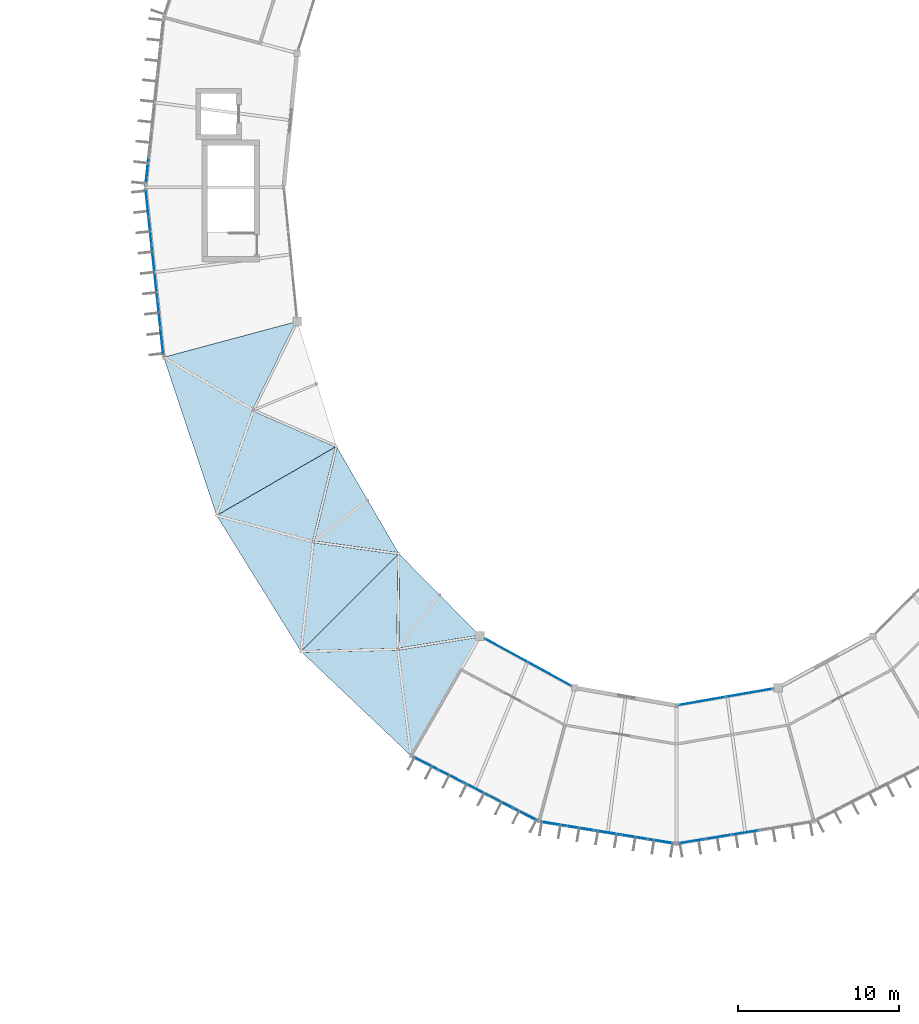
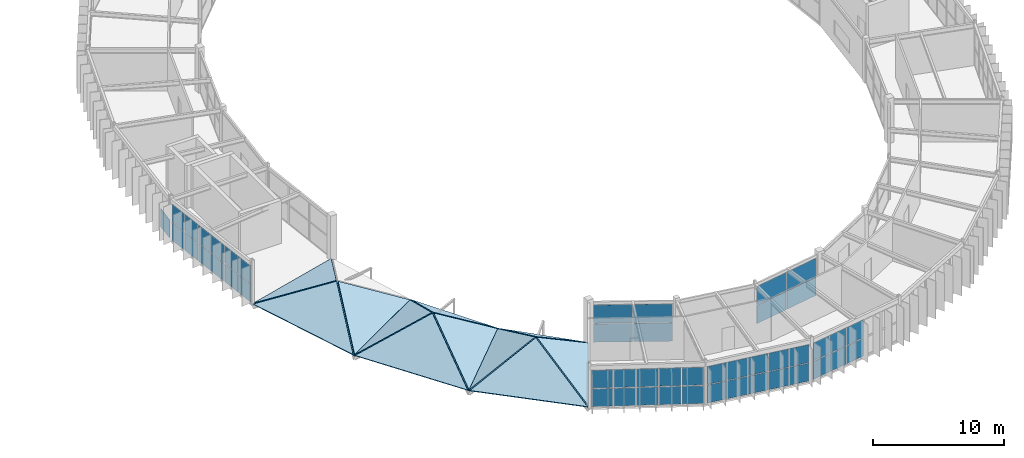
# One storey, part 79 of 106: 47 plates, 11 slabs, 7 elements without a shape of their own.
"""IFC4 building model written with IfcOpenShell, lengths in metres."""

import ifcopenshell
import ifcopenshell.guid

model = None  # the IFC model being written
_history = None  # IfcOwnerHistory: only IFC2X3 demands one
_inside = {}  # id of a spatial element -> (the spatial element, [elements in it])
_under = {}  # id of a project, library or spatial element -> (it, [spatial elements below it])
_declared = {}  # id of a project -> (the project, [libraries it declares])
_typed = {}  # id of a type object -> (the type object, [elements of that type])
_made_of = {}  # id of a material, layer set ... -> (it, [elements and type objects made of it])


def new_model(schema):
    """Start an empty IFC model of exactly this schema.

    Asked for "IFC4X3", IfcOpenShell would pick the latest addendum, in which some entities
    have other attributes; the version numbers below select the first issue.
    IFC2X3 requires an IfcOwnerHistory on every rooted entity: one is made here for all.
    """
    global model, _history
    if schema == "IFC4X3":
        model = ifcopenshell.file(schema_version=(4, 3, 0, 0))
    else:
        model = ifcopenshell.file(schema=schema)
    _inside.clear()
    _under.clear()
    _declared.clear()
    _typed.clear()
    _made_of.clear()
    _history = None
    if model.schema == "IFC2X3":
        org = make("IfcOrganization", Name="unknown")
        user = make(
            "IfcPersonAndOrganization",
            ThePerson=make("IfcPerson", FamilyName="unknown"),
            TheOrganization=org,
        )
        app = make(
            "IfcApplication",
            ApplicationDeveloper=org,
            Version="unknown",
            ApplicationFullName="unknown",
            ApplicationIdentifier="unknown",
        )
        _history = make(
            "IfcOwnerHistory",
            OwningUser=user,
            OwningApplication=app,
            ChangeAction="ADDED",
            CreationDate=0,
        )
    return model


def make(cls, **values):
    """One entity of the class cls with the attributes given. An attribute that is None is left unset."""
    return model.create_entity(
        cls, **{name: value for name, value in values.items() if value is not None}
    )


def rooted(cls, **values):
    """An entity with a GlobalId (a new one), such as an element, a storey or a relation."""
    return make(cls, GlobalId=ifcopenshell.guid.new(), OwnerHistory=_history, **values)


def si_unit(unit_type, name, prefix=None):
    """IfcSIUnit, for example si_unit("LENGTHUNIT", "METRE", prefix="MILLI")."""
    return make("IfcSIUnit", UnitType=unit_type, Prefix=prefix, Name=name)


def assignment(units):
    """IfcUnitAssignment: the units of a project."""
    return None if units is None else make("IfcUnitAssignment", Units=units)


def point(xyz):
    """IfcCartesianPoint."""
    return None if xyz is None else make("IfcCartesianPoint", Coordinates=xyz)


def direction(xyz):
    """IfcDirection."""
    return None if xyz is None else make("IfcDirection", DirectionRatios=xyz)


def frame(location, z_axis=None, x_axis=None):
    """IfcAxis2Placement3D, a coordinate frame: its origin and axes. An axis left out is left unset."""
    return make(
        "IfcAxis2Placement3D",
        Location=point(location),
        Axis=direction(z_axis),
        RefDirection=direction(x_axis),
    )


def frame_2d(location, x_axis=None):
    """IfcAxis2Placement2D, a coordinate frame in the plane: its origin and x axis."""
    return make(
        "IfcAxis2Placement2D", Location=point(location), RefDirection=direction(x_axis)
    )


def origin():
    """The frame at (0, 0, 0) with its axes left unset."""
    return frame((0.0, 0.0, 0.0))


def origin_2d():
    """The frame at (0, 0) in the plane with its x axis left unset."""
    return frame_2d((0.0, 0.0))


def place(relative_to, where):
    """IfcLocalPlacement: puts the frame where relative to a parent placement (None: the world)."""
    return make(
        "IfcLocalPlacement", PlacementRelTo=relative_to, RelativePlacement=where
    )


def context(
    kind, dimensions, precision=None, world=None, true_north=None, identifier=None
):
    """IfcGeometricRepresentationContext, for example the 3D "Model" context."""
    return make(
        "IfcGeometricRepresentationContext",
        ContextIdentifier=identifier,
        ContextType=kind,
        CoordinateSpaceDimension=dimensions,
        Precision=precision,
        WorldCoordinateSystem=world,
        TrueNorth=true_north,
    )


def subcontext(parent, identifier, kind, view, scale=None):
    """IfcGeometricRepresentationSubContext, for example "Body" below "Model"."""
    return make(
        "IfcGeometricRepresentationSubContext",
        ContextIdentifier=identifier,
        ContextType=kind,
        ParentContext=parent,
        TargetScale=scale,
        TargetView=view,
    )


def project(units=None, contexts=None):
    """IfcProject with its units and contexts."""
    return rooted(
        "IfcProject",
        Name="project",
        RepresentationContexts=contexts,
        UnitsInContext=assignment(units),
    )


def spatial(cls, under=None, at=None, **own):
    """A site, building, storey or space (cls), placed at a placement, below another one or the project."""
    s = rooted(cls, ObjectPlacement=at, **own)
    if under is not None:
        _under.setdefault(under.id(), (under, []))[1].append(s)
    return s


def polyline(points):
    """IfcPolyline through the points."""
    return make("IfcPolyline", Points=[point(p) for p in points])


def profile(cls, at=None, kind="AREA", **sizes):
    """A parametric profile (cls). Its sizes go by their IFC names, for example OverallWidth=200.0."""
    return make(cls, ProfileType=kind, Position=at, **sizes)


def rectangle(**sizes):
    """IfcRectangleProfileDef."""
    return profile("IfcRectangleProfileDef", **sizes)


def outline(outer, holes=None, kind="AREA"):
    """IfcArbitraryClosedProfileDef: a profile drawn as a closed curve; with holes, ...WithVoids."""
    if holes is None:
        return make("IfcArbitraryClosedProfileDef", ProfileType=kind, OuterCurve=outer)
    return make(
        "IfcArbitraryProfileDefWithVoids",
        ProfileType=kind,
        OuterCurve=outer,
        InnerCurves=holes,
    )


def extrude(swept, where, along, depth):
    """IfcExtrudedAreaSolid: the profile swept, set in the frame where, extruded along a direction by depth."""
    return make(
        "IfcExtrudedAreaSolid",
        SweptArea=swept,
        Position=where,
        ExtrudedDirection=direction(along),
        Depth=depth,
    )


def shape(context_of_items, identifier, shape_type, items):
    """IfcShapeRepresentation: the items that make up one representation, for example the "Body"."""
    return make(
        "IfcShapeRepresentation",
        ContextOfItems=context_of_items,
        RepresentationIdentifier=identifier,
        RepresentationType=shape_type,
        Items=items,
    )


def material(Name=None, Category=None):
    """IfcMaterial."""
    return make("IfcMaterial", Name=Name, Category=Category)


def layer(
    of_material, thickness, ventilated=None, Name=None, Category=None, Priority=None
):
    """IfcMaterialLayer: one layer of a wall or slab, of a material (None: an air gap)."""
    return make(
        "IfcMaterialLayer",
        Material=of_material,
        LayerThickness=thickness,
        IsVentilated=ventilated,
        Name=Name,
        Category=Category,
        Priority=Priority,
    )


def layer_set(layers, Name=None):
    """IfcMaterialLayerSet."""
    return make("IfcMaterialLayerSet", MaterialLayers=layers, LayerSetName=Name)


def made_of(thing, what):
    """Note that an element or type object is made of a material, layer set ...; save() writes the relation."""
    if what is not None:
        _made_of.setdefault(what.id(), (what, []))[1].append(thing)
    return thing


def type_object(cls, material=None, **own):
    """A type object (cls), such as IfcWallType, which elements share."""
    return made_of(rooted(cls, **own), material)


def element(
    cls,
    number,
    at=None,
    inside=None,
    cuts=None,
    type_object=None,
    material=None,
    context=None,
    identifier="Body",
    shape_type=None,
    held_by="IfcProductDefinitionShape",
    body=None,
    shapes=None,
    **own,
):
    """One element of the class cls, such as IfcWall. Its Tag is "e" and its number.

    at: its placement. inside: the storey or other place that contains it. cuts: it is an
    opening in that element (IfcRelVoidsElement). A single representation is given by context,
    identifier, shape_type and body (its items); several are given by shapes. held_by: the class
    of the entity that holds the representations. save() writes the other relations.
    """
    e = rooted(cls, Tag="e%d" % number, ObjectPlacement=at, **own)
    if body is not None:
        shapes = [shape(context, identifier, shape_type, body)]
    if shapes is not None:
        e.Representation = make(held_by, Representations=shapes)
    if inside is not None:
        _inside.setdefault(inside.id(), (inside, []))[1].append(e)
    if cuts is not None:
        rooted(
            "IfcRelVoidsElement", RelatingBuildingElement=cuts, RelatedOpeningElement=e
        )
    if type_object is not None:
        _typed.setdefault(type_object.id(), (type_object, []))[1].append(e)
    return made_of(e, material)


def aggregate(whole, parts):
    """IfcRelAggregates: a whole, such as a stair, and the parts it consists of."""
    return rooted("IfcRelAggregates", RelatingObject=whole, RelatedObjects=parts)


def save(model, path):
    """Write the relations noted so far, then the file.

    IfcRelAggregates (storeys below a building ...), IfcRelContainedInSpatialStructure (elements
    in a storey), IfcRelDefinesByType, IfcRelAssociatesMaterial and IfcRelDeclares: one each for
    every whole, place, type object, material and project.
    """
    for whole, parts in _under.values():
        aggregate(whole, parts)
    for where, things in _inside.values():
        rooted(
            "IfcRelContainedInSpatialStructure",
            RelatedElements=things,
            RelatingStructure=where,
        )
    for kind, things in _typed.values():
        rooted("IfcRelDefinesByType", RelatedObjects=things, RelatingType=kind)
    for what, things in _made_of.values():
        rooted("IfcRelAssociatesMaterial", RelatedObjects=things, RelatingMaterial=what)
    for by, libraries in _declared.values():
        rooted("IfcRelDeclares", RelatingContext=by, RelatedDefinitions=libraries)
    model.write(path)


model = new_model("IFC4")

# Units and contexts
model_context = context("Model", 3, precision=1e-05, world=origin(), true_north=direction((0.0, 1.0)))
body_context = subcontext(model_context, "Body", "Model", "MODEL_VIEW")
ifc_project = project(units=[si_unit("LENGTHUNIT", "METRE"), si_unit("AREAUNIT", "SQUARE_METRE"), si_unit("VOLUMEUNIT", "CUBIC_METRE"), si_unit("PLANEANGLEUNIT", "RADIAN"), si_unit("MASSUNIT", "GRAM", prefix="KILO")], contexts=[model_context])

# Site, building, storey
site_placement = place(None, origin())
site = spatial("IfcSite", under=ifc_project, at=site_placement, CompositionType="ELEMENT")
building_placement = place(site_placement, origin())
building = spatial("IfcBuilding", under=site, at=building_placement, Name="Karori Crest Natural Sciences Institute", CompositionType="ELEMENT")
storey_placement = place(building_placement, frame((0.0, 0.0, 25.89990234375)))
storey = spatial("IfcBuildingStorey", under=building, at=storey_placement, Name="L06", CompositionType="ELEMENT", Elevation=25.89990234375)

# Curtain wall, plates
ifc_material_1 = material(Name="Anodised architectural aluminium 6063-T6", Category="aluminium")
curtain_wall_type_1 = type_object("IfcCurtainWallType", Name="CWT-12", PredefinedType="NOTDEFINED", material=ifc_material_1)
curtain_wall_1_placement = place(storey_placement, origin())
curtain_wall_1 = element("IfcCurtainWall", 1, at=curtain_wall_1_placement, inside=storey, type_object=curtain_wall_type_1, Name="Curtain wall CW-0209", PredefinedType="NOTDEFINED")
ifc_material_2 = material(Name="Double low-E laminated glass", Category="glass")
ifc_layer_1 = layer(ifc_material_2, 0.02392578125, Name="Double low-E laminated glass")
ifc_layer_set_1 = layer_set([ifc_layer_1], Name="Double low-E laminated glass")
plate_type_1 = type_object("IfcPlateType", Name="CWP-01", PredefinedType="CURTAIN_PANEL", material=ifc_layer_set_1)
plate_1_placement = place(storey_placement, frame((55.8408203125, 21.116943359375, 0.06005859375), z_axis=(0.0, 0.0, 1.0), x_axis=(0.877470277057, -0.479631017431, 0.0)))
plate_1 = element("IfcPlate", 2, at=plate_1_placement, type_object=plate_type_1, Name="CW-0209 panel 1.1", PredefinedType="CURTAIN_PANEL", context=body_context, shape_type="SweptSolid", body=[
    extrude(rectangle(XDim=2.987060546875, YDim=0.02392578125, at=origin_2d()), origin(), (0.0, 0.0, 1.0), 1.7099609375),
])
plate_2_placement = place(storey_placement, frame((55.8408203125, 21.116943359375, 1.830078125), z_axis=(0.0, 0.0, 1.0), x_axis=(0.877470277057, -0.479631017431, 0.0)))
plate_2 = element("IfcPlate", 3, at=plate_2_placement, type_object=plate_type_1, Name="CW-0209 panel 1.2", PredefinedType="CURTAIN_PANEL", context=body_context, shape_type="SweptSolid", body=[
    extrude(rectangle(XDim=2.987060546875, YDim=0.02392578125, at=origin_2d()), origin(), (0.0, 0.0, 1.0), 1.7099609375),
])
plate_3_placement = place(storey_placement, frame((58.51904296875, 19.653076171875, 0.06005859375), z_axis=(0.0, 0.0, 1.0), x_axis=(0.877470277057, -0.479631017431, 0.0)))
plate_3 = element("IfcPlate", 4, at=plate_3_placement, type_object=plate_type_1, Name="CW-0209 panel 2.1", PredefinedType="CURTAIN_PANEL", context=body_context, shape_type="SweptSolid", body=[
    extrude(rectangle(XDim=2.987060546875, YDim=0.02392578125, at=origin_2d()), origin(), (0.0, 0.0, 1.0), 1.7099609375),
])
plate_4_placement = place(storey_placement, frame((58.51904296875, 19.653076171875, 1.830078125), z_axis=(0.0, 0.0, 1.0), x_axis=(0.877470277057, -0.479631017431, 0.0)))
plate_4 = element("IfcPlate", 5, at=plate_4_placement, type_object=plate_type_1, Name="CW-0209 panel 2.2", PredefinedType="CURTAIN_PANEL", context=body_context, shape_type="SweptSolid", body=[
    extrude(rectangle(XDim=2.987060546875, YDim=0.02392578125, at=origin_2d()), origin(), (0.0, 0.0, 1.0), 1.7099609375),
])
aggregate(curtain_wall_1, [plate_1, plate_2, plate_3, plate_4])

curtain_wall_type_2 = type_object("IfcCurtainWallType", Name="CWT-09", PredefinedType="NOTDEFINED", material=ifc_material_1)
curtain_wall_2_placement = place(storey_placement, origin())
curtain_wall_2 = element("IfcCurtainWall", 6, at=curtain_wall_2_placement, inside=storey, type_object=curtain_wall_type_2, Name="Curtain wall CW-0211", PredefinedType="NOTDEFINED")
plate_5_placement = place(storey_placement, frame((70.6708984375, 9.795166015625, 0.065185546875), z_axis=(0.0, 0.0, 1.0), x_axis=(-0.987011397252, -0.160650246484, 0.0)))
plate_5 = element("IfcPlate", 7, at=plate_5_placement, type_object=plate_type_1, Name="CW-0211 panel 3.1", PredefinedType="CURTAIN_PANEL", context=body_context, shape_type="SweptSolid", body=[
    extrude(rectangle(XDim=1.61474609375, YDim=0.02392578125, at=origin_2d()), origin(), (0.0, 0.0, 1.0), 1.6650390625),
])
plate_6_placement = place(storey_placement, frame((70.6708984375, 9.795166015625, 1.795166015625), z_axis=(0.0, 0.0, 1.0), x_axis=(-0.987011397252, -0.160650246484, 0.0)))
plate_6 = element("IfcPlate", 8, at=plate_6_placement, type_object=plate_type_1, Name="CW-0211 panel 3.2", PredefinedType="CURTAIN_PANEL", context=body_context, shape_type="SweptSolid", body=[
    extrude(rectangle(XDim=1.61474609375, YDim=0.02392578125, at=origin_2d()), origin(), (0.0, 0.0, 1.0), 1.6650390625),
])
plate_7_placement = place(storey_placement, frame((69.012939453125, 9.525390625, 0.065185546875), z_axis=(0.0, 0.0, 1.0), x_axis=(-0.987011397252, -0.160650246484, 0.0)))
plate_7 = element("IfcPlate", 9, at=plate_7_placement, type_object=plate_type_1, Name="CW-0211 panel 4.1", PredefinedType="CURTAIN_PANEL", context=body_context, shape_type="SweptSolid", body=[
    extrude(rectangle(XDim=1.61474609375, YDim=0.02392578125, at=origin_2d()), origin(), (0.0, 0.0, 1.0), 1.6650390625),
])
plate_8_placement = place(storey_placement, frame((69.012939453125, 9.525390625, 1.795166015625), z_axis=(0.0, 0.0, 1.0), x_axis=(-0.987011397252, -0.160650246484, 0.0)))
plate_8 = element("IfcPlate", 10, at=plate_8_placement, type_object=plate_type_1, Name="CW-0211 panel 4.2", PredefinedType="CURTAIN_PANEL", context=body_context, shape_type="SweptSolid", body=[
    extrude(rectangle(XDim=1.61474609375, YDim=0.02392578125, at=origin_2d()), origin(), (0.0, 0.0, 1.0), 1.6650390625),
])
plate_9_placement = place(storey_placement, frame((67.37109375, 9.258056640625, 0.065185546875), z_axis=(0.0, 0.0, 1.0), x_axis=(-0.987011397252, -0.160650246484, 0.0)))
plate_9 = element("IfcPlate", 11, at=plate_9_placement, type_object=plate_type_1, Name="CW-0211 panel 5.1", PredefinedType="CURTAIN_PANEL", context=body_context, shape_type="SweptSolid", body=[
    extrude(rectangle(XDim=1.582275390625, YDim=0.02392578125, at=origin_2d()), origin(), (0.0, 0.0, 1.0), 1.6650390625),
])
plate_10_placement = place(storey_placement, frame((67.37109375, 9.258056640625, 1.795166015625), z_axis=(0.0, 0.0, 1.0), x_axis=(-0.987011397252, -0.160650246484, 0.0)))
plate_10 = element("IfcPlate", 12, at=plate_10_placement, type_object=plate_type_1, Name="CW-0211 panel 5.2", PredefinedType="CURTAIN_PANEL", context=body_context, shape_type="SweptSolid", body=[
    extrude(rectangle(XDim=1.582275390625, YDim=0.02392578125, at=origin_2d()), origin(), (0.0, 0.0, 1.0), 1.6650390625),
])
aggregate(curtain_wall_2, [plate_5, plate_6, plate_7, plate_8, plate_9, plate_10])

curtain_wall_type_3 = type_object("IfcCurtainWallType", Name="CWT-14", PredefinedType="NOTDEFINED", material=ifc_material_1)
curtain_wall_3_placement = place(storey_placement, origin())
curtain_wall_3 = element("IfcCurtainWall", 13, at=curtain_wall_3_placement, inside=storey, type_object=curtain_wall_type_3, Name="Curtain wall CW-0212", PredefinedType="NOTDEFINED")
plate_11_placement = place(storey_placement, frame((68.001953125, 17.978271484375, 0.06005859375), z_axis=(0.0, 0.0, 1.0), x_axis=(0.985240827231, 0.171173924291, 0.0)))
plate_11 = element("IfcPlate", 14, at=plate_11_placement, type_object=plate_type_1, Name="CW-0212 panel 1.1", PredefinedType="CURTAIN_PANEL", context=body_context, shape_type="SweptSolid", body=[
    extrude(rectangle(XDim=2.91796875, YDim=0.02392578125, at=origin_2d()), origin(), (0.0, 0.0, 1.0), 1.7099609375),
])
plate_12_placement = place(storey_placement, frame((68.001953125, 17.978271484375, 1.830078125), z_axis=(0.0, 0.0, 1.0), x_axis=(0.985240827231, 0.171173924291, 0.0)))
plate_12 = element("IfcPlate", 15, at=plate_12_placement, type_object=plate_type_1, Name="CW-0212 panel 1.2", PredefinedType="CURTAIN_PANEL", context=body_context, shape_type="SweptSolid", body=[
    extrude(rectangle(XDim=2.91796875, YDim=0.02392578125, at=origin_2d()), origin(), (0.0, 0.0, 1.0), 1.7099609375),
])
plate_13_placement = place(storey_placement, frame((70.940673828125, 18.489013671875, 0.06005859375), z_axis=(0.0, 0.0, 1.0), x_axis=(0.985240827231, 0.171173924291, 0.0)))
plate_13 = element("IfcPlate", 16, at=plate_13_placement, type_object=plate_type_1, Name="CW-0212 panel 2.1", PredefinedType="CURTAIN_PANEL", context=body_context, shape_type="SweptSolid", body=[
    extrude(rectangle(XDim=2.91796875, YDim=0.02392578125, at=origin_2d()), origin(), (0.0, 0.0, 1.0), 1.7099609375),
])
plate_14_placement = place(storey_placement, frame((70.940673828125, 18.489013671875, 1.830078125), z_axis=(0.0, 0.0, 1.0), x_axis=(0.985240827231, 0.171173924291, 0.0)))
plate_14 = element("IfcPlate", 17, at=plate_14_placement, type_object=plate_type_1, Name="CW-0212 panel 2.2", PredefinedType="CURTAIN_PANEL", context=body_context, shape_type="SweptSolid", body=[
    extrude(rectangle(XDim=2.91796875, YDim=0.02392578125, at=origin_2d()), origin(), (0.0, 0.0, 1.0), 1.7099609375),
])
aggregate(curtain_wall_3, [plate_11, plate_12, plate_13, plate_14])

curtain_wall_type_4 = type_object("IfcCurtainWallType", Name="CWT-03", PredefinedType="NOTDEFINED", material=ifc_material_1)
curtain_wall_4_placement = place(storey_placement, origin())
curtain_wall_4 = element("IfcCurtainWall", 18, at=curtain_wall_4_placement, inside=storey, type_object=curtain_wall_type_4, Name="Curtain wall CW-0238", PredefinedType="NOTDEFINED")
plate_15_placement = place(storey_placement, frame((34.41796875, 40.34033203125, 0.065185546875), z_axis=(0.0, 0.0, 1.0), x_axis=(-0.105884496939, 0.994378435661, 0.0)))
plate_15 = element("IfcPlate", 19, at=plate_15_placement, type_object=plate_type_1, Name="CW-0238 panel 1.1", PredefinedType="CURTAIN_PANEL", context=body_context, shape_type="SweptSolid", body=[
    extrude(rectangle(XDim=1.630126953125, YDim=0.02392578125, at=origin_2d()), origin(), (0.0, 0.0, 1.0), 1.6650390625),
])
plate_16_placement = place(storey_placement, frame((34.41796875, 40.34033203125, 1.795166015625), z_axis=(0.0, 0.0, 1.0), x_axis=(-0.105884496939, 0.994378435661, 0.0)))
plate_16 = element("IfcPlate", 20, at=plate_16_placement, type_object=plate_type_1, Name="CW-0238 panel 1.2", PredefinedType="CURTAIN_PANEL", context=body_context, shape_type="SweptSolid", body=[
    extrude(rectangle(XDim=1.630126953125, YDim=0.02392578125, at=origin_2d()), origin(), (0.0, 0.0, 1.0), 1.6650390625),
])
plate_17_placement = place(storey_placement, frame((34.23681640625, 42.0419921875, 0.065185546875), z_axis=(0.0, 0.0, 1.0), x_axis=(-0.105884496939, 0.994378435661, 0.0)))
plate_17 = element("IfcPlate", 21, at=plate_17_placement, type_object=plate_type_1, Name="CW-0238 panel 2.1", PredefinedType="CURTAIN_PANEL", context=body_context, shape_type="SweptSolid", body=[
    extrude(rectangle(XDim=1.66259765625, YDim=0.02392578125, at=origin_2d()), origin(), (0.0, 0.0, 1.0), 1.6650390625),
])
plate_18_placement = place(storey_placement, frame((34.23681640625, 42.0419921875, 1.795166015625), z_axis=(0.0, 0.0, 1.0), x_axis=(-0.105884496939, 0.994378435661, 0.0)))
plate_18 = element("IfcPlate", 22, at=plate_18_placement, type_object=plate_type_1, Name="CW-0238 panel 2.2", PredefinedType="CURTAIN_PANEL", context=body_context, shape_type="SweptSolid", body=[
    extrude(rectangle(XDim=1.66259765625, YDim=0.02392578125, at=origin_2d()), origin(), (0.0, 0.0, 1.0), 1.6650390625),
])
plate_19_placement = place(storey_placement, frame((34.0537109375, 43.759765625, 0.065185546875), z_axis=(0.0, 0.0, 1.0), x_axis=(-0.105884496939, 0.994378435661, 0.0)))
plate_19 = element("IfcPlate", 23, at=plate_19_placement, type_object=plate_type_1, Name="CW-0238 panel 3.1", PredefinedType="CURTAIN_PANEL", context=body_context, shape_type="SweptSolid", body=[
    extrude(rectangle(XDim=1.66259765625, YDim=0.02392578125, at=origin_2d()), origin(), (0.0, 0.0, 1.0), 1.6650390625),
])
plate_20_placement = place(storey_placement, frame((34.0537109375, 43.759765625, 1.795166015625), z_axis=(0.0, 0.0, 1.0), x_axis=(-0.105884496939, 0.994378435661, 0.0)))
plate_20 = element("IfcPlate", 24, at=plate_20_placement, type_object=plate_type_1, Name="CW-0238 panel 3.2", PredefinedType="CURTAIN_PANEL", context=body_context, shape_type="SweptSolid", body=[
    extrude(rectangle(XDim=1.66259765625, YDim=0.02392578125, at=origin_2d()), origin(), (0.0, 0.0, 1.0), 1.6650390625),
])
plate_21_placement = place(storey_placement, frame((33.870849609375, 45.4775390625, 0.065185546875), z_axis=(0.0, 0.0, 1.0), x_axis=(-0.105884496939, 0.994378435661, 0.0)))
plate_21 = element("IfcPlate", 25, at=plate_21_placement, type_object=plate_type_1, Name="CW-0238 panel 4.1", PredefinedType="CURTAIN_PANEL", context=body_context, shape_type="SweptSolid", body=[
    extrude(rectangle(XDim=1.66259765625, YDim=0.02392578125, at=origin_2d()), origin(), (0.0, 0.0, 1.0), 1.6650390625),
])
plate_22_placement = place(storey_placement, frame((33.870849609375, 45.4775390625, 1.795166015625), z_axis=(0.0, 0.0, 1.0), x_axis=(-0.105884496939, 0.994378435661, 0.0)))
plate_22 = element("IfcPlate", 26, at=plate_22_placement, type_object=plate_type_1, Name="CW-0238 panel 4.2", PredefinedType="CURTAIN_PANEL", context=body_context, shape_type="SweptSolid", body=[
    extrude(rectangle(XDim=1.66259765625, YDim=0.02392578125, at=origin_2d()), origin(), (0.0, 0.0, 1.0), 1.6650390625),
])
plate_23_placement = place(storey_placement, frame((33.68798828125, 47.1953125, 0.065185546875), z_axis=(0.0, 0.0, 1.0), x_axis=(-0.105884496939, 0.994378435661, 0.0)))
plate_23 = element("IfcPlate", 27, at=plate_23_placement, type_object=plate_type_1, Name="CW-0238 panel 5.1", PredefinedType="CURTAIN_PANEL", context=body_context, shape_type="SweptSolid", body=[
    extrude(rectangle(XDim=1.66259765625, YDim=0.02392578125, at=origin_2d()), origin(), (0.0, 0.0, 1.0), 1.6650390625),
])
plate_24_placement = place(storey_placement, frame((33.68798828125, 47.1953125, 1.795166015625), z_axis=(0.0, 0.0, 1.0), x_axis=(-0.105884496939, 0.994378435661, 0.0)))
plate_24 = element("IfcPlate", 28, at=plate_24_placement, type_object=plate_type_1, Name="CW-0238 panel 5.2", PredefinedType="CURTAIN_PANEL", context=body_context, shape_type="SweptSolid", body=[
    extrude(rectangle(XDim=1.66259765625, YDim=0.02392578125, at=origin_2d()), origin(), (0.0, 0.0, 1.0), 1.6650390625),
])
plate_25_placement = place(storey_placement, frame((33.5068359375, 48.89697265625, 0.065185546875), z_axis=(0.0, 0.0, 1.0), x_axis=(-0.105884496939, 0.994378435661, 0.0)))
plate_25 = element("IfcPlate", 29, at=plate_25_placement, type_object=plate_type_1, Name="CW-0238 panel 6.1", PredefinedType="CURTAIN_PANEL", context=body_context, shape_type="SweptSolid", body=[
    extrude(rectangle(XDim=1.630126953125, YDim=0.02392578125, at=origin_2d()), origin(), (0.0, 0.0, 1.0), 1.6650390625),
])
plate_26_placement = place(storey_placement, frame((33.5068359375, 48.89697265625, 1.795166015625), z_axis=(0.0, 0.0, 1.0), x_axis=(-0.105884496939, 0.994378435661, 0.0)))
plate_26 = element("IfcPlate", 30, at=plate_26_placement, type_object=plate_type_1, Name="CW-0238 panel 6.2", PredefinedType="CURTAIN_PANEL", context=body_context, shape_type="SweptSolid", body=[
    extrude(rectangle(XDim=1.630126953125, YDim=0.02392578125, at=origin_2d()), origin(), (0.0, 0.0, 1.0), 1.6650390625),
])
aggregate(curtain_wall_4, [plate_15, plate_16, plate_17, plate_18, plate_19, plate_20, plate_21, plate_22, plate_23, plate_24, plate_25, plate_26])

curtain_wall_type_5 = type_object("IfcCurtainWallType", Name="CWT-07", PredefinedType="NOTDEFINED", material=ifc_material_1)
curtain_wall_5_placement = place(storey_placement, origin())
curtain_wall_5 = element("IfcCurtainWall", 31, at=curtain_wall_5_placement, inside=storey, type_object=curtain_wall_type_5, Name="Curtain wall CW-0208", PredefinedType="NOTDEFINED")
ifc_layer_2 = layer(ifc_material_2, 0.033935546875, Name="Double low-E laminated glass")
ifc_layer_set_2 = layer_set([ifc_layer_2], Name="Double low-E laminated glass")
plate_type_2 = type_object("IfcPlateType", Name="CWP-02", PredefinedType="CURTAIN_PANEL", material=ifc_layer_set_2)
plate_27_placement = place(storey_placement, frame((56.993408203125, 10.933349609375, 0.065185546875), z_axis=(0.0, 0.0, 1.0), x_axis=(-0.890067432138, 0.455828878252, 0.0)))
plate_27 = element("IfcPlate", 32, at=plate_27_placement, type_object=plate_type_2, Name="CW-0208 panel 1.1", PredefinedType="CURTAIN_PANEL", context=body_context, shape_type="SweptSolid", body=[
    extrude(rectangle(XDim=1.645751953125, YDim=0.033935546875, at=origin_2d()), origin(), (0.0, 0.0, 1.0), 1.6650390625),
])
plate_28_placement = place(storey_placement, frame((56.993408203125, 10.933349609375, 1.795166015625), z_axis=(0.0, 0.0, 1.0), x_axis=(-0.890067432138, 0.455828878252, 0.0)))
plate_28 = element("IfcPlate", 33, at=plate_28_placement, type_object=plate_type_2, Name="CW-0208 panel 1.2", PredefinedType="CURTAIN_PANEL", context=body_context, shape_type="SweptSolid", body=[
    extrude(rectangle(XDim=1.645751953125, YDim=0.033935546875, at=origin_2d()), origin(), (0.0, 0.0, 1.0), 1.6650390625),
])
plate_29_placement = place(storey_placement, frame((55.456298828125, 11.720703125, 0.065185546875), z_axis=(0.0, 0.0, 1.0), x_axis=(-0.890067432138, 0.455828878252, 0.0)))
plate_29 = element("IfcPlate", 34, at=plate_29_placement, type_object=plate_type_2, Name="CW-0208 panel 2.1", PredefinedType="CURTAIN_PANEL", context=body_context, shape_type="SweptSolid", body=[
    extrude(rectangle(XDim=1.678466796875, YDim=0.033935546875, at=origin_2d()), origin(), (0.0, 0.0, 1.0), 1.6650390625),
])
plate_30_placement = place(storey_placement, frame((55.456298828125, 11.720703125, 1.795166015625), z_axis=(0.0, 0.0, 1.0), x_axis=(-0.890067432138, 0.455828878252, 0.0)))
plate_30 = element("IfcPlate", 35, at=plate_30_placement, type_object=plate_type_2, Name="CW-0208 panel 2.2", PredefinedType="CURTAIN_PANEL", context=body_context, shape_type="SweptSolid", body=[
    extrude(rectangle(XDim=1.678466796875, YDim=0.033935546875, at=origin_2d()), origin(), (0.0, 0.0, 1.0), 1.6650390625),
])
plate_31_placement = place(storey_placement, frame((53.904541015625, 12.515380859375, 0.065185546875), z_axis=(0.0, 0.0, 1.0), x_axis=(-0.890067432138, 0.455828878252, 0.0)))
plate_31 = element("IfcPlate", 36, at=plate_31_placement, type_object=plate_type_2, Name="CW-0208 panel 3.1", PredefinedType="CURTAIN_PANEL", context=body_context, shape_type="SweptSolid", body=[
    extrude(rectangle(XDim=1.678466796875, YDim=0.033935546875, at=origin_2d()), origin(), (0.0, 0.0, 1.0), 1.6650390625),
])
plate_32_placement = place(storey_placement, frame((53.904541015625, 12.515380859375, 1.795166015625), z_axis=(0.0, 0.0, 1.0), x_axis=(-0.890067432138, 0.455828878252, 0.0)))
plate_32 = element("IfcPlate", 37, at=plate_32_placement, type_object=plate_type_2, Name="CW-0208 panel 3.2", PredefinedType="CURTAIN_PANEL", context=body_context, shape_type="SweptSolid", body=[
    extrude(rectangle(XDim=1.678466796875, YDim=0.033935546875, at=origin_2d()), origin(), (0.0, 0.0, 1.0), 1.6650390625),
])
plate_33_placement = place(storey_placement, frame((52.352783203125, 13.31005859375, 0.065185546875), z_axis=(0.0, 0.0, 1.0), x_axis=(-0.890067432138, 0.455828878252, 0.0)))
plate_33 = element("IfcPlate", 38, at=plate_33_placement, type_object=plate_type_2, Name="CW-0208 panel 4.1", PredefinedType="CURTAIN_PANEL", context=body_context, shape_type="SweptSolid", body=[
    extrude(rectangle(XDim=1.678466796875, YDim=0.033935546875, at=origin_2d()), origin(), (0.0, 0.0, 1.0), 1.6650390625),
])
plate_34_placement = place(storey_placement, frame((52.352783203125, 13.31005859375, 1.795166015625), z_axis=(0.0, 0.0, 1.0), x_axis=(-0.890067432138, 0.455828878252, 0.0)))
plate_34 = element("IfcPlate", 39, at=plate_34_placement, type_object=plate_type_2, Name="CW-0208 panel 4.2", PredefinedType="CURTAIN_PANEL", context=body_context, shape_type="SweptSolid", body=[
    extrude(rectangle(XDim=1.678466796875, YDim=0.033935546875, at=origin_2d()), origin(), (0.0, 0.0, 1.0), 1.6650390625),
])
plate_35_placement = place(storey_placement, frame((50.8154296875, 14.097412109375, 0.065185546875), z_axis=(0.0, 0.0, 1.0), x_axis=(-0.890067432138, 0.455828878252, 0.0)))
plate_35 = element("IfcPlate", 40, at=plate_35_placement, type_object=plate_type_2, Name="CW-0208 panel 5.1", PredefinedType="CURTAIN_PANEL", context=body_context, shape_type="SweptSolid", body=[
    extrude(rectangle(XDim=1.645751953125, YDim=0.033935546875, at=origin_2d()), origin(), (0.0, 0.0, 1.0), 1.6650390625),
])
plate_36_placement = place(storey_placement, frame((50.8154296875, 14.097412109375, 1.795166015625), z_axis=(0.0, 0.0, 1.0), x_axis=(-0.890067432138, 0.455828878252, 0.0)))
plate_36 = element("IfcPlate", 41, at=plate_36_placement, type_object=plate_type_2, Name="CW-0208 panel 5.2", PredefinedType="CURTAIN_PANEL", context=body_context, shape_type="SweptSolid", body=[
    extrude(rectangle(XDim=1.645751953125, YDim=0.033935546875, at=origin_2d()), origin(), (0.0, 0.0, 1.0), 1.6650390625),
])
aggregate(curtain_wall_5, [plate_27, plate_28, plate_29, plate_30, plate_31, plate_32, plate_33, plate_34, plate_35, plate_36])

curtain_wall_type_6 = type_object("IfcCurtainWallType", Name="CWT-08", PredefinedType="NOTDEFINED", material=ifc_material_1)
curtain_wall_6_placement = place(storey_placement, origin())
curtain_wall_6 = element("IfcCurtainWall", 42, at=curtain_wall_6_placement, inside=storey, type_object=curtain_wall_type_6, Name="Curtain wall CW-0210", PredefinedType="NOTDEFINED")
ifc_layer_3 = layer(ifc_material_2, 0.0439453125, Name="Double low-E laminated glass")
ifc_layer_set_3 = layer_set([ifc_layer_3], Name="Double low-E laminated glass")
plate_type_3 = type_object("IfcPlateType", Name="CWP-03", PredefinedType="CURTAIN_PANEL", material=ifc_layer_set_3)
plate_37_placement = place(storey_placement, frame((65.424072265625, 9.2587890625, 0.06005859375), z_axis=(0.0, 0.0, 1.0), x_axis=(-0.987010543275, 0.160655493101, 0.0)))
plate_37 = element("IfcPlate", 43, at=plate_37_placement, type_object=plate_type_3, Name="CW-0210 panel 1.1", PredefinedType="CURTAIN_PANEL", context=body_context, shape_type="SweptSolid", body=[
    extrude(rectangle(XDim=1.592529296875, YDim=0.0439453125, at=origin_2d()), origin(), (0.0, 0.0, 1.0), 1.672607421875),
])
plate_38_placement = place(storey_placement, frame((65.424072265625, 9.2587890625, 1.79248046875), z_axis=(0.0, 0.0, 1.0), x_axis=(-0.987010543275, 0.160655493101, 0.0)))
plate_38 = element("IfcPlate", 44, at=plate_38_placement, type_object=plate_type_3, Name="CW-0210 panel 1.2", PredefinedType="CURTAIN_PANEL", context=body_context, shape_type="SweptSolid", body=[
    extrude(rectangle(XDim=1.592529296875, YDim=0.0439453125, at=origin_2d()), origin(), (0.0, 0.0, 1.0), 1.672607421875),
])
plate_39_placement = place(storey_placement, frame((63.77197265625, 9.52783203125, 0.06005859375), z_axis=(0.0, 0.0, 1.0), x_axis=(-0.987010543275, 0.160655493101, 0.0)))
plate_39 = element("IfcPlate", 45, at=plate_39_placement, type_object=plate_type_3, Name="CW-0210 panel 2.1", PredefinedType="CURTAIN_PANEL", context=body_context, shape_type="SweptSolid", body=[
    extrude(rectangle(XDim=1.625, YDim=0.0439453125, at=origin_2d()), origin(), (0.0, 0.0, 1.0), 1.672607421875),
])
plate_40_placement = place(storey_placement, frame((63.77197265625, 9.52783203125, 1.79248046875), z_axis=(0.0, 0.0, 1.0), x_axis=(-0.987010543275, 0.160655493101, 0.0)))
plate_40 = element("IfcPlate", 46, at=plate_40_placement, type_object=plate_type_3, Name="CW-0210 panel 2.2", PredefinedType="CURTAIN_PANEL", context=body_context, shape_type="SweptSolid", body=[
    extrude(rectangle(XDim=1.625, YDim=0.0439453125, at=origin_2d()), origin(), (0.0, 0.0, 1.0), 1.672607421875),
])
plate_41_placement = place(storey_placement, frame((62.10400390625, 9.79931640625, 0.06005859375), z_axis=(0.0, 0.0, 1.0), x_axis=(-0.987010543275, 0.160655493101, 0.0)))
plate_41 = element("IfcPlate", 47, at=plate_41_placement, type_object=plate_type_3, Name="CW-0210 panel 3.1", PredefinedType="CURTAIN_PANEL", context=body_context, shape_type="SweptSolid", body=[
    extrude(rectangle(XDim=1.625, YDim=0.0439453125, at=origin_2d()), origin(), (0.0, 0.0, 1.0), 1.672607421875),
])
plate_42_placement = place(storey_placement, frame((62.10400390625, 9.79931640625, 1.79248046875), z_axis=(0.0, 0.0, 1.0), x_axis=(-0.987010543275, 0.160655493101, 0.0)))
plate_42 = element("IfcPlate", 48, at=plate_42_placement, type_object=plate_type_3, Name="CW-0210 panel 3.2", PredefinedType="CURTAIN_PANEL", context=body_context, shape_type="SweptSolid", body=[
    extrude(rectangle(XDim=1.625, YDim=0.0439453125, at=origin_2d()), origin(), (0.0, 0.0, 1.0), 1.672607421875),
])
plate_43_placement = place(storey_placement, frame((60.43603515625, 10.07080078125, 0.06005859375), z_axis=(0.0, 0.0, 1.0), x_axis=(-0.987010543275, 0.160655493101, 0.0)))
plate_43 = element("IfcPlate", 49, at=plate_43_placement, type_object=plate_type_3, Name="CW-0210 panel 4.1", PredefinedType="CURTAIN_PANEL", context=body_context, shape_type="SweptSolid", body=[
    extrude(rectangle(XDim=1.625, YDim=0.0439453125, at=origin_2d()), origin(), (0.0, 0.0, 1.0), 1.672607421875),
])
plate_44_placement = place(storey_placement, frame((60.43603515625, 10.07080078125, 1.79248046875), z_axis=(0.0, 0.0, 1.0), x_axis=(-0.987010543275, 0.160655493101, 0.0)))
plate_44 = element("IfcPlate", 50, at=plate_44_placement, type_object=plate_type_3, Name="CW-0210 panel 4.2", PredefinedType="CURTAIN_PANEL", context=body_context, shape_type="SweptSolid", body=[
    extrude(rectangle(XDim=1.625, YDim=0.0439453125, at=origin_2d()), origin(), (0.0, 0.0, 1.0), 1.672607421875),
])
plate_45_placement = place(storey_placement, frame((58.783935546875, 10.339599609375, 0.06005859375), z_axis=(0.0, 0.0, 1.0), x_axis=(-0.987010543275, 0.160655493101, 0.0)))
plate_45 = element("IfcPlate", 51, at=plate_45_placement, type_object=plate_type_3, Name="CW-0210 panel 5.1", PredefinedType="CURTAIN_PANEL", context=body_context, shape_type="SweptSolid", body=[
    extrude(rectangle(XDim=1.592529296875, YDim=0.0439453125, at=origin_2d()), origin(), (0.0, 0.0, 1.0), 1.672607421875),
])
plate_46_placement = place(storey_placement, frame((58.783935546875, 10.339599609375, 1.79248046875), z_axis=(0.0, 0.0, 1.0), x_axis=(-0.987010543275, 0.160655493101, 0.0)))
plate_46 = element("IfcPlate", 52, at=plate_46_placement, type_object=plate_type_3, Name="CW-0210 panel 5.2", PredefinedType="CURTAIN_PANEL", context=body_context, shape_type="SweptSolid", body=[
    extrude(rectangle(XDim=1.592529296875, YDim=0.0439453125, at=origin_2d()), origin(), (0.0, 0.0, 1.0), 1.672607421875),
])
aggregate(curtain_wall_6, [plate_37, plate_38, plate_39, plate_40, plate_41, plate_42, plate_43, plate_44, plate_45, plate_46])

# Curtain wall, plate
curtain_wall_type_7 = type_object("IfcCurtainWallType", Name="CWT-02", PredefinedType="NOTDEFINED", material=ifc_material_1)
curtain_wall_7_placement = place(storey_placement, origin())
curtain_wall_7 = element("IfcCurtainWall", 53, at=curtain_wall_7_placement, inside=storey, type_object=curtain_wall_type_7, Name="Curtain wall CW-0237", PredefinedType="NOTDEFINED")
plate_47_placement = place(storey_placement, frame((33.507080078125, 50.906982421875, 0.06005859375), z_axis=(0.0, 0.0, 1.0), x_axis=(0.105885677057, 0.994378309998, 0.0)))
plate_47 = element("IfcPlate", 54, at=plate_47_placement, type_object=plate_type_3, Name="CW-0237 panel 1.1", PredefinedType="CURTAIN_PANEL", context=body_context, shape_type="SweptSolid", body=[
    extrude(rectangle(XDim=1.6376953125, YDim=0.0439453125, at=origin_2d()), origin(), (0.0, 0.0, 1.0), 1.672607421875),
])
aggregate(curtain_wall_7, [plate_47])

# Slabs
ifc_layer_4 = layer(ifc_material_2, 0.139892578125, Name="Double low-E laminated glass")
ifc_layer_set_4 = layer_set([ifc_layer_4], Name="Double low-E laminated glass")
slab_type = type_object("IfcSlabType", Name="SLT-14", PredefinedType="ROOF", material=ifc_layer_set_4)
slab_1_placement = place(storey_placement, frame((34.526611328125, 39.3388671875, 0.051025390625), z_axis=(-0.436588876593, -0.146270524794, 0.887690873228), x_axis=(0.31768605458, -0.948195955851, 5.720019e-06)))
element("IfcSlab", 55, at=slab_1_placement, inside=storey, type_object=slab_type, Name="V1-G14A Crystal gable SL-0062", PredefinedType="ROOF", context=body_context, shape_type="SweptSolid", body=[
    extrude(outline(polyline([(0.0, 0.0), (10.373842556646112, 4.440892098500626e-16), (10.229453071768782, 0.04347634968492705), (4.893764371924136, 4.704702537218294), (0.14150852660326857, 0.051556367650377494), (0.0, 0.0)])), origin(), (0.0, 0.0, -1.0), 0.139892578125),
])
slab_2_placement = place(storey_placement, frame((37.822021484375, 29.502685546875, 0.051025390625), z_axis=(0.218983607859, -0.379265961368, 0.899001396015), x_axis=(0.866028301291, 0.499994981062, -1.6601479e-05)))
element("IfcSlab", 56, at=slab_2_placement, inside=storey, type_object=slab_type, Name="V1-G14B Crystal gable SL-0063", PredefinedType="ROOF", context=body_context, shape_type="SweptSolid", body=[
    extrude(outline(polyline([(0.0, 0.0), (8.595909816793117, -4.440892098500626e-16), (8.468772775042442, 0.08036972078187879), (5.246511541136012, 4.939268437643764), (0.14204099303628925, 0.049946096990247026), (0.0, 0.0)])), origin(), (0.0, 0.0, -1.0), 0.139892578125),
])
slab_3_placement = place(storey_placement, frame((42.829833984375, 41.563720703125, 0.051025390625), z_axis=(-0.111470058786, 0.415988272427, 0.902512151274), x_axis=(-0.965929100315, -0.258806825646, -1.2818999e-05)))
element("IfcSlab", 57, at=slab_3_placement, inside=storey, type_object=slab_type, Name="V1-G14D Crystal gable SL-0065", PredefinedType="ROOF", context=body_context, shape_type="SweptSolid", body=[
    extrude(outline(polyline([(0.0, 0.0), (8.5958326581758, 2.220446049250313e-16), (8.458606049065017, 0.06164643382344981), (4.05513335020519, 5.0234925595177735), (0.13329287268154355, 0.06933132397228478), (0.0, 0.0)])), origin(), (0.0, 0.0, -1.0), 0.139892578125),
])
slab_4_placement = place(storey_placement, frame((37.82373046875, 29.499267578125, 0.05126953125), z_axis=(-0.479036641846, -0.297312269604, 0.825911199895), x_axis=(0.527322695926, -0.849665095343, -1.0854042e-05)))
element("IfcSlab", 58, at=slab_4_placement, inside=storey, type_object=slab_type, Name="V1-G15A Crystal gable SL-0066", PredefinedType="ROOF", context=body_context, shape_type="SweptSolid", body=[
    extrude(outline(polyline([(0.0, 0.0), (9.941256322164515, -1.3322676295501878e-15), (9.79887011663018, 0.04951805042508161), (4.552790264291464, 5.045126933252655), (0.13723116430301016, 0.061454551637105864), (0.0, 0.0)])), origin(), (0.0, 0.0, -1.0), 0.139892578125),
])
slab_5_placement = place(storey_placement, frame((43.065673828125, 21.052490234375, 0.05126953125), z_axis=(0.395938982536, -0.395923203125, 0.828539159808), x_axis=(0.707092615133, 0.707120946957, 7.2081e-08)))
element("IfcSlab", 59, at=slab_5_placement, inside=storey, type_object=slab_type, Name="V1-G15B Crystal gable SL-0067", PredefinedType="ROOF", context=body_context, shape_type="SweptSolid", body=[
    extrude(outline(polyline([(0.0, 0.0), (8.59628471100688, 4.440892098500626e-16), (8.471299456871101, 0.08374836137232364), (5.346543628523571, 5.072174790114004), (0.1420782059271864, 0.05061222704726129), (0.0, 0.0)])), origin(), (0.0, 0.0, -1.0), 0.139892578125),
])
slab_6_placement = place(storey_placement, frame((49.144287109375, 27.132080078125, 0.05126953125), z_axis=(0.488491120991, 0.28400863015, 0.825054860427), x_axis=(-0.502658834245, 0.864484872952, 2.8134933e-05)))
element("IfcSlab", 60, at=slab_6_placement, inside=storey, type_object=slab_type, Name="V1-G15C Crystal gable SL-0068", PredefinedType="ROOF", context=body_context, shape_type="SweptSolid", body=[
    extrude(outline(polyline([(0.0, 0.0), (7.710207644071892, 0.0), (7.574150065582916, 0.06378829269216903), (3.3187465138331746, 5.019750514910598), (0.1260324540496141, 0.08187935408454741), (0.0, 0.0)])), origin(), (0.0, 0.0, -1.0), 0.139892578125),
])
slab_7_placement = place(storey_placement, frame((45.26806640625, 33.797607421875, 0.05126953125), z_axis=(-0.274283952129, 0.475060448377, 0.836113559268), x_axis=(-0.866019835811, -0.500009643888, -6.4294e-07)))
element("IfcSlab", 61, at=slab_7_placement, inside=storey, type_object=slab_type, Name="V1-G15D Crystal gable SL-0069", PredefinedType="ROOF", context=body_context, shape_type="SweptSolid", body=[
    extrude(outline(polyline([(0.0, 0.0), (8.596031888233775, -8.881784197001252e-16), (8.460765618959828, 0.06602715759644809), (4.213897575125836, 5.178562324985574), (0.1338314433960875, 0.06868754690308647), (0.0, 0.0)])), origin(), (0.0, 0.0, -1.0), 0.139892578125),
])
slab_8_placement = place(storey_placement, frame((43.068115234375, 21.0498046875, 0.05126953125), z_axis=(-0.382264880974, -0.402953208497, 0.83156615644), x_axis=(0.725479552207, -0.688243720856, -5.604934e-06)))
element("IfcSlab", 62, at=slab_8_placement, inside=storey, type_object=slab_type, Name="V1-G16A Crystal gable SL-0070", PredefinedType="ROOF", context=body_context, shape_type="SweptSolid", body=[
    extrude(outline(polyline([(0.0, 0.0), (9.416622715748886, 0.0), (9.27564443075579, 0.05239694426436052), (4.267720046342498, 5.005173629171979), (0.13544419298834745, 0.06549014862919605), (0.0, 0.0)])), origin(), (0.0, 0.0, -1.0), 0.139892578125),
])
slab_9_placement = place(storey_placement, frame((49.899658203125, 14.568603515625, 0.05126953125), z_axis=(0.498438103441, -0.28775840817, 0.817774147039), x_axis=(0.499977275642, 0.866038523297, 2.619114e-06)))
element("IfcSlab", 63, at=slab_9_placement, inside=storey, type_object=slab_type, Name="V1-G16B Crystal gable SL-0071", PredefinedType="ROOF", context=body_context, shape_type="SweptSolid", body=[
    extrude(outline(polyline([(0.0, 0.0), (8.596121252759373, -4.440892098500626e-16), (8.468918490609864, 0.0801564416175339), (5.312489181051784, 4.823508685648974), (0.1430325645118617, 0.047531887541496246), (0.0, 0.0)])), origin(), (0.0, 0.0, -1.0), 0.139892578125),
])
slab_10_placement = place(storey_placement, frame((54.197509765625, 22.014404296875, 0.05126953125), z_axis=(0.396258307364, 0.391315027504, 0.830573237647), x_axis=(-0.702670423253, 0.711515478445, 1.4801266e-05)))
element("IfcSlab", 64, at=slab_10_placement, inside=storey, type_object=slab_type, Name="V1-G16C Crystal gable SL-0072", PredefinedType="ROOF", context=body_context, shape_type="SweptSolid", body=[
    extrude(outline(polyline([(0.0, 0.0), (7.187908193046233, -8.881784197001252e-16), (7.0529052643680386, 0.06671069738086272), (3.0191656015973716, 4.975068889033975), (0.12263790421231621, 0.0870628219314043), (0.0, 0.0)])), origin(), (0.0, 0.0, -1.0), 0.139892578125),
])
slab_11_placement = place(storey_placement, frame((49.146484375, 27.128662109375, 0.05126953125), z_axis=(-0.398418719739, 0.398413920038, 0.826153056086), x_axis=(-0.707105428997, -0.707108133368, -2.803882e-06)))
element("IfcSlab", 65, at=slab_11_placement, inside=storey, type_object=slab_type, Name="V1-G16D Crystal gable SL-0073", PredefinedType="ROOF", context=body_context, shape_type="SweptSolid", body=[
    extrude(outline(polyline([(0.0, 0.0), (8.596112075732464, 0.0), (8.459558984040607, 0.06329813114494162), (4.247992325293824, 4.928762730026144), (0.13586255779737802, 0.06498934464062613), (0.0, 0.0)])), origin(), (0.0, 0.0, -1.0), 0.139892578125),
])

save(model, "model.ifc")
